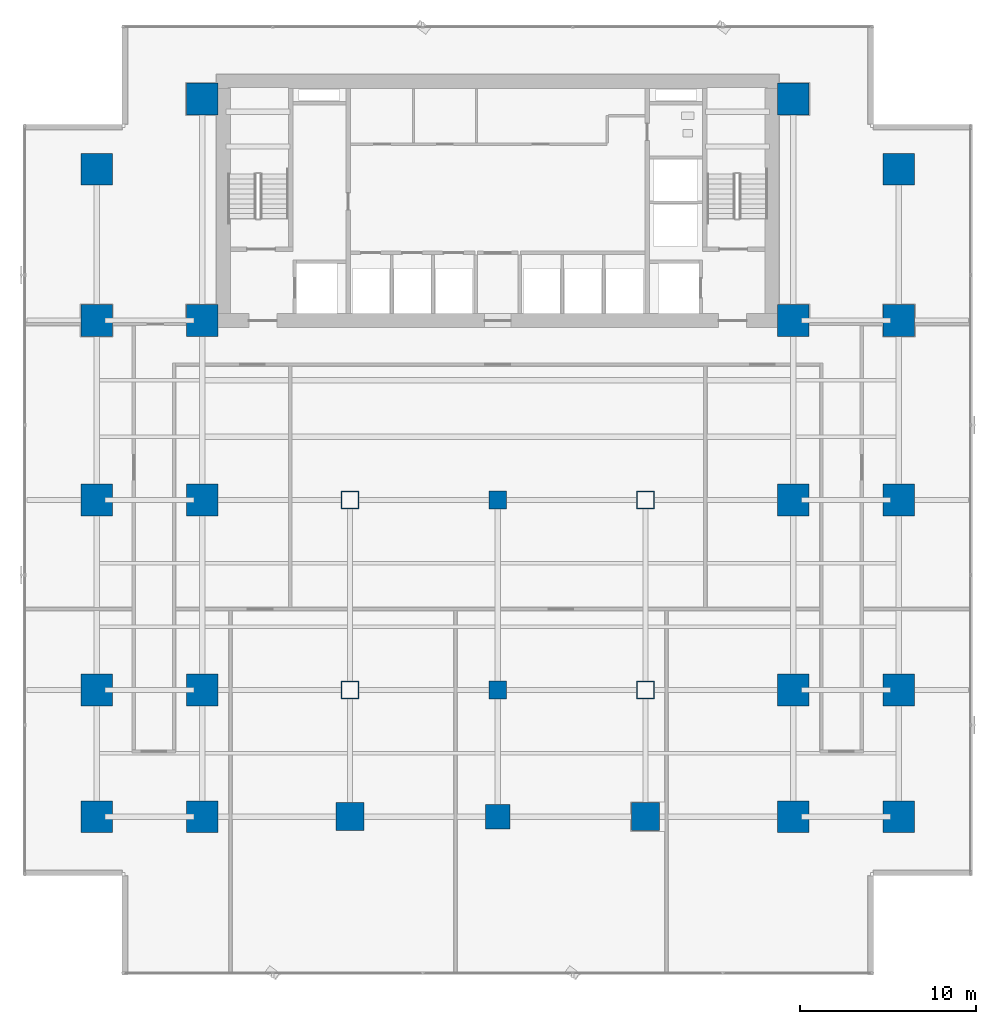
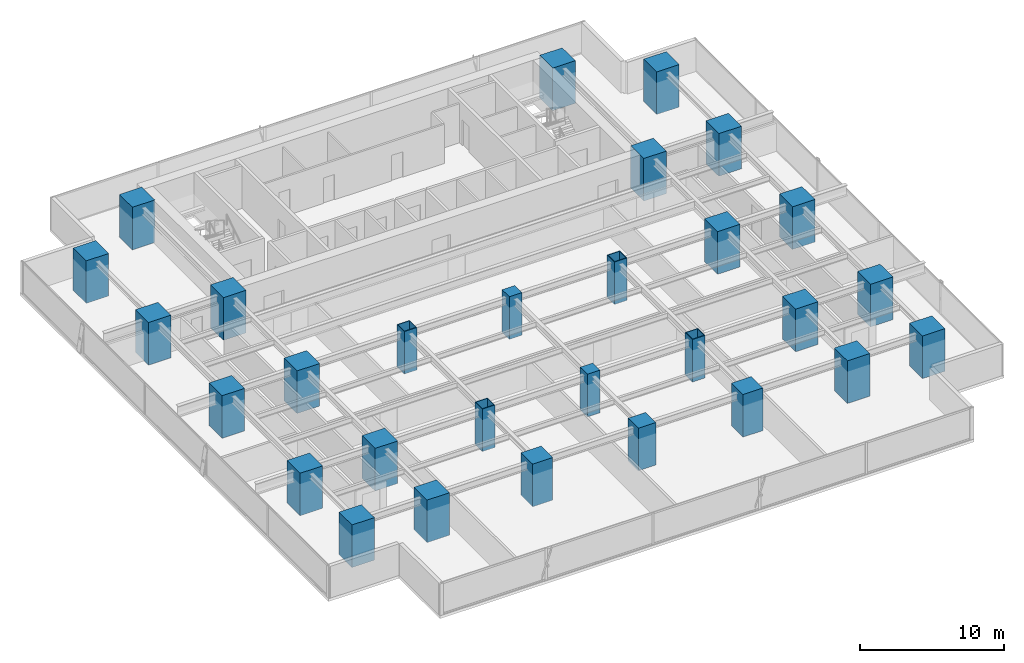
# One storey, part 1 of 33: 29 columns.
"""IFC4 building model written with IfcOpenShell, lengths in metres."""

from ifc_helpers import new_model, si_unit, direction, frame, origin, origin_2d, place, context, subcontext, project, spatial, rectangle, hollow_rectangle, extrude, source, transform, mapped, material, material_profile, profile_set, type_object, element, save


model = new_model("IFC4")

# Units and contexts
model_context = context("Model", 3, precision=1e-05, world=origin(), true_north=direction((0.0, 1.0)))
body_context = subcontext(model_context, "Body", "Model", "MODEL_VIEW")
ifc_project = project(units=[si_unit("LENGTHUNIT", "METRE"), si_unit("AREAUNIT", "SQUARE_METRE"), si_unit("VOLUMEUNIT", "CUBIC_METRE"), si_unit("PLANEANGLEUNIT", "RADIAN"), si_unit("MASSUNIT", "GRAM", prefix="KILO")], contexts=[model_context])

# Site, building, storey
site_placement = place(None, origin())
site = spatial("IfcSite", under=ifc_project, at=site_placement, CompositionType="ELEMENT")
building_placement = place(site_placement, origin())
building = spatial("IfcBuilding", under=site, at=building_placement, Name="Sumidabori Civic Tower", CompositionType="ELEMENT")
storey_placement = place(building_placement, frame((0.0, 0.0, 66.800048828125)))
storey = spatial("IfcBuildingStorey", under=building, at=storey_placement, Name="L17", CompositionType="ELEMENT", Elevation=66.800048828125)

# Columns
ifc_material_1 = material(Name="Concrete C60/75", Category="concrete")
ifc_material_profile_1 = material_profile(ifc_material_1, rectangle(XDim=1.800048828125, YDim=1.800048828125, at=origin_2d()), Name="RC 1800x1800")
ifc_profile_set_1 = profile_set([ifc_material_profile_1], Name="Concrete C60/75")
column_type_1 = type_object("IfcColumnType", Name="CL-MEGA-1800", PredefinedType="COLUMN", material=ifc_profile_set_1)
shared_shape_1 = source(origin(), body_context, "Body", "SweptSolid", [
    extrude(rectangle(XDim=1.800048828125, YDim=1.800048828125, at=origin_2d()), origin(), (0.0, 0.0, 1.0), 3.599853515625),
])
for number, where, z_axis, x_axis, name in (
    (1, (-16.800048828125, -18.0, 0.0), (0.0, 0.0, 1.0), (1.0, 0.0, 0.0), "Column MC-W16-Y18S L17"),
    (2, (-16.800048828125, -10.800048828125, 0.0), (0.0, 0.0, 1.0), (1.0, 0.0, 0.0), "Column MC-W16-Y11S L17"),
    (3, (-16.800048828125, 0.0, 0.0), (0.0, 0.0, 1.0), (1.0, 0.0, 0.0), "Column MC-W16-Y00 L17"),
    (4, (-16.800048828125, 10.199951171875, 0.0), (0.0, 0.0, 1.0), (1.0, 0.0, 0.0), "Column MC-W16-Y10N L17"),
    (5, (-16.800048828125, 22.800048828125, 0.0), (0.0, 0.0, 1.0), (1.0, 0.0, 0.0), "Column MC-W16-Y23N L17"),
    (6, (16.800048828125, -18.0, 0.0), (0.0, 0.0, 1.0), (1.0, 0.0, 0.0), "Column MC-E16-Y18S L17"),
    (7, (16.800048828125, -10.800048828125, 0.0), (0.0, 0.0, 1.0), (1.0, 0.0, 0.0), "Column MC-E16-Y11S L17"),
    (8, (16.800048828125, 0.0, 0.0), (0.0, 0.0, 1.0), (1.0, 0.0, 0.0), "Column MC-E16-Y00 L17"),
    (9, (16.800048828125, 10.199951171875, 0.0), (0.0, 0.0, 1.0), (1.0, 0.0, 0.0), "Column MC-E16-Y10N L17"),
    (10, (16.800048828125, 22.800048828125, 0.0), (0.0, 0.0, 1.0), (1.0, 0.0, 0.0), "Column MC-E16-Y23N L17"),
    (11, (-22.800048828125, -18.0, 0.0), (0.0, 0.0, 1.0), (1.0, 0.0, 0.0), "Column MC-W23-Y18S L17"),
    (12, (-22.800048828125, -10.800048828125, 0.0), (0.0, 0.0, 1.0), (1.0, 0.0, 0.0), "Column MC-W23-Y11S L17"),
    (13, (-22.800048828125, 0.0, 0.0), (0.0, 0.0, 1.0), (1.0, 0.0, 0.0), "Column MC-W23-Y00 L17"),
    (14, (-22.800048828125, 10.199951171875, 0.0), (0.0, 0.0, 1.0), (1.0, 0.0, 0.0), "Column MC-W23-Y10N L17"),
    (15, (-22.800048828125, 18.800048828125, 0.0), (0.0, 0.0, 1.0), (1.0, 0.0, 0.0), "Column MC-W23-Y19N L17"),
    (16, (22.800048828125, -18.0, 0.0), (0.0, 0.0, 1.0), (1.0, 0.0, 0.0), "Column MC-E23-Y18S L17"),
    (17, (22.800048828125, -10.800048828125, 0.0), (0.0, 0.0, 1.0), (1.0, 0.0, 0.0), "Column MC-E23-Y11S L17"),
    (18, (22.800048828125, 0.0, 0.0), (0.0, 0.0, 1.0), (1.0, 0.0, 0.0), "Column MC-E23-Y00 L17"),
    (19, (22.800048828125, 10.199951171875, 0.0), (0.0, 0.0, 1.0), (1.0, 0.0, 0.0), "Column MC-E23-Y10N L17"),
    (20, (22.800048828125, 18.800048828125, 0.0), (0.0, 0.0, 1.0), (1.0, 0.0, 0.0), "Column MC-E23-Y19N L17"),
):
    element("IfcColumn", number, at=place(storey_placement, frame(where, z_axis=z_axis, x_axis=x_axis)), inside=storey, type_object=column_type_1, Name=name, PredefinedType="COLUMN", context=body_context, shape_type="MappedRepresentation", body=[
        mapped(shared_shape_1, transform((0.0, 0.0, 0.0), x_axis=(1.0, 0.0, 0.0), y_axis=(0.0, 1.0, 0.0), z_axis=(0.0, 0.0, 1.0), scale=1.0)),
    ])
ifc_material_profile_2 = material_profile(ifc_material_1, rectangle(XDim=1.60009765625, YDim=1.60009765625, at=origin_2d()), Name="RC 1600x1600")
ifc_profile_set_2 = profile_set([ifc_material_profile_2], Name="Concrete C60/75")
column_type_2 = type_object("IfcColumnType", Name="CL-MEGA-1600", PredefinedType="COLUMN", material=ifc_profile_set_2)
shared_shape_2 = source(origin(), body_context, "Body", "SweptSolid", [
    extrude(rectangle(XDim=1.60009765625, YDim=1.60009765625, at=origin_2d()), origin(), (0.0, 0.0, 1.0), 3.599853515625),
])
for number, where, z_axis, x_axis, name in (
    (21, (-8.39990234375, -18.0, 0.0), (0.0, 0.0, 1.0), (1.0, 0.0, 0.0), "Column MC-W08-Y18S L17"),
    (22, (8.39990234375, -18.0, 0.0), (0.0, 0.0, 1.0), (1.0, 0.0, 0.0), "Column MC-E08-Y18S L17"),
):
    element("IfcColumn", number, at=place(storey_placement, frame(where, z_axis=z_axis, x_axis=x_axis)), inside=storey, type_object=column_type_2, Name=name, PredefinedType="COLUMN", context=body_context, shape_type="MappedRepresentation", body=[
        mapped(shared_shape_2, transform((0.0, 0.0, 0.0), x_axis=(1.0, 0.0, 0.0), y_axis=(0.0, 1.0, 0.0), z_axis=(0.0, 0.0, 1.0), scale=1.0)),
    ])
ifc_material_2 = material(Name="Steel SM570", Category="steel")
ifc_material_profile_3 = material_profile(ifc_material_2, hollow_rectangle(XDim=1.0, YDim=1.0, WallThickness=0.044921875, at=origin_2d()), Name="SHS 1000x1000x45")
ifc_profile_set_3 = profile_set([ifc_material_profile_3], Name="Steel SM570")
column_type_3 = type_object("IfcColumnType", Name="CL-PORTAL-SHS1000", PredefinedType="COLUMN", material=ifc_profile_set_3)
shared_shape_3 = source(origin(), body_context, "Body", "SweptSolid", [
    extrude(hollow_rectangle(XDim=1.0, YDim=1.0, WallThickness=0.044921875, at=origin_2d()), origin(), (0.0, 0.0, 1.0), 3.599853515625),
])
for number, where, z_axis, x_axis, name in (
    (23, (-8.39990234375, 0.0, 0.0), (0.0, 0.0, 1.0), (1.0, 0.0, 0.0), "Column MC-W08-Y00 L17"),
    (24, (-8.39990234375, -10.800048828125, 0.0), (0.0, 0.0, 1.0), (1.0, 0.0, 0.0), "Column MC-W08-Y11S L17"),
    (25, (8.39990234375, 0.0, 0.0), (0.0, 0.0, 1.0), (1.0, 0.0, 0.0), "Column MC-E08-Y00 L17"),
    (26, (8.39990234375, -10.800048828125, 0.0), (0.0, 0.0, 1.0), (1.0, 0.0, 0.0), "Column MC-E08-Y11S L17"),
):
    element("IfcColumn", number, at=place(storey_placement, frame(where, z_axis=z_axis, x_axis=x_axis)), inside=storey, type_object=column_type_3, Name=name, PredefinedType="COLUMN", context=body_context, shape_type="MappedRepresentation", body=[
        mapped(shared_shape_3, transform((0.0, 0.0, 0.0), x_axis=(1.0, 0.0, 0.0), y_axis=(0.0, 1.0, 0.0), z_axis=(0.0, 0.0, 1.0), scale=1.0)),
    ])
ifc_material_profile_4 = material_profile(ifc_material_1, rectangle(XDim=1.39990234375, YDim=1.39990234375, at=origin_2d()), Name="RC 1400x1400")
ifc_profile_set_4 = profile_set([ifc_material_profile_4], Name="Concrete C60/75")
column_type_4 = type_object("IfcColumnType", Name="CL-MEGA-1400", PredefinedType="COLUMN", material=ifc_profile_set_4)
shared_shape_4 = source(origin(), body_context, "Body", "SweptSolid", [
    extrude(rectangle(XDim=1.39990234375, YDim=1.39990234375, at=origin_2d()), origin(), (0.0, 0.0, 1.0), 3.599853515625),
])
column_placement = place(storey_placement, frame((0.0, -18.0, 0.0), z_axis=(0.0, 0.0, 1.0), x_axis=(1.0, 0.0, 0.0)))
element("IfcColumn", 27, at=column_placement, inside=storey, type_object=column_type_4, Name="Column MC-C00-Y18S L17", PredefinedType="COLUMN", context=body_context, shape_type="MappedRepresentation", body=[
    mapped(shared_shape_4, transform((0.0, 0.0, 0.0), x_axis=(1.0, 0.0, 0.0), y_axis=(0.0, 1.0, 0.0), z_axis=(0.0, 0.0, 1.0), scale=1.0)),
])
ifc_material_3 = material(Name="Concrete C50/60", Category="concrete")
ifc_material_profile_5 = material_profile(ifc_material_3, rectangle(XDim=1.0, YDim=1.0, at=origin_2d()), Name="RC 1000x1000")
ifc_profile_set_5 = profile_set([ifc_material_profile_5], Name="Concrete C50/60")
column_type_5 = type_object("IfcColumnType", Name="CL-INT-1000", PredefinedType="COLUMN", material=ifc_profile_set_5)
shared_shape_5 = source(origin(), body_context, "Body", "SweptSolid", [
    extrude(rectangle(XDim=1.0, YDim=1.0, at=origin_2d()), origin(), (0.0, 0.0, 1.0), 3.599853515625),
])
for number, where, z_axis, x_axis, name in (
    (28, (0.0, -10.800048828125, 0.0), (0.0, 0.0, 1.0), (1.0, 0.0, 0.0), "Column MC-C00-Y11S L17"),
    (29, (0.0, 0.0, 0.0), (0.0, 0.0, 1.0), (1.0, 0.0, 0.0), "Column MC-C00-Y00 L17"),
):
    element("IfcColumn", number, at=place(storey_placement, frame(where, z_axis=z_axis, x_axis=x_axis)), inside=storey, type_object=column_type_5, Name=name, PredefinedType="COLUMN", context=body_context, shape_type="MappedRepresentation", body=[
        mapped(shared_shape_5, transform((0.0, 0.0, 0.0), x_axis=(1.0, 0.0, 0.0), y_axis=(0.0, 1.0, 0.0), z_axis=(0.0, 0.0, 1.0), scale=1.0)),
    ])

save(model, "model.ifc")
